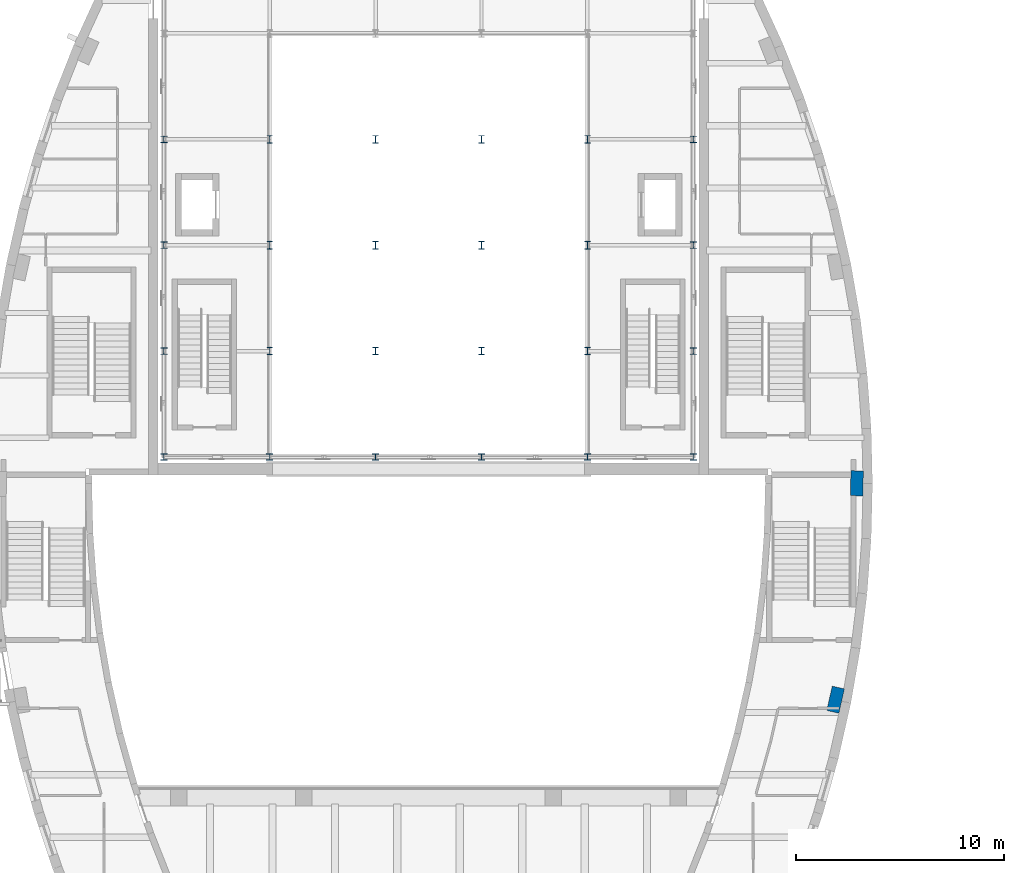
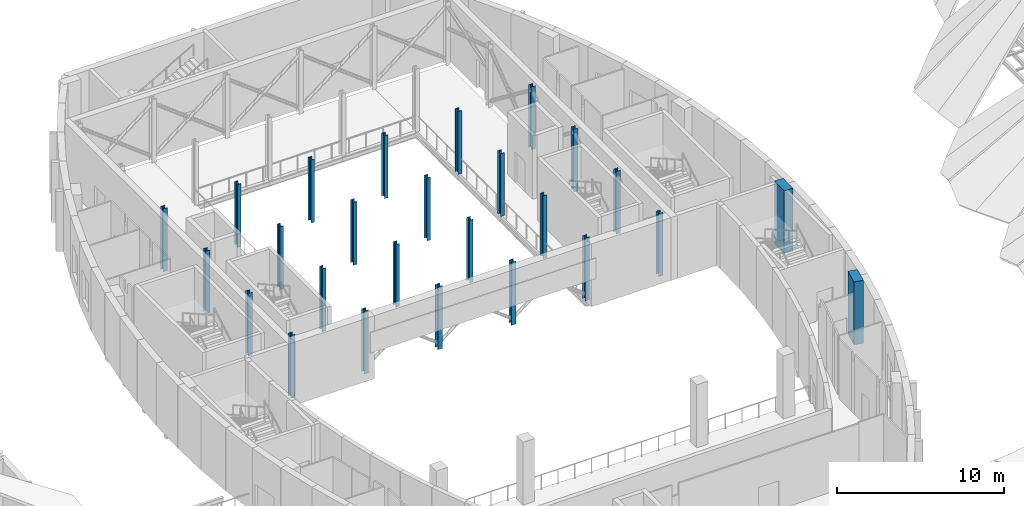
# One storey, part 2 of 56: 26 columns.
"""IFC4 building model written with IfcOpenShell, lengths in metres."""

import ifcopenshell
import ifcopenshell.guid

model = None  # the IFC model being written
_history = None  # IfcOwnerHistory: only IFC2X3 demands one
_inside = {}  # id of a spatial element -> (the spatial element, [elements in it])
_under = {}  # id of a project, library or spatial element -> (it, [spatial elements below it])
_declared = {}  # id of a project -> (the project, [libraries it declares])
_typed = {}  # id of a type object -> (the type object, [elements of that type])
_made_of = {}  # id of a material, layer set ... -> (it, [elements and type objects made of it])


def new_model(schema):
    """Start an empty IFC model of exactly this schema.

    Asked for "IFC4X3", IfcOpenShell would pick the latest addendum, in which some entities
    have other attributes; the version numbers below select the first issue.
    IFC2X3 requires an IfcOwnerHistory on every rooted entity: one is made here for all.
    """
    global model, _history
    if schema == "IFC4X3":
        model = ifcopenshell.file(schema_version=(4, 3, 0, 0))
    else:
        model = ifcopenshell.file(schema=schema)
    _inside.clear()
    _under.clear()
    _declared.clear()
    _typed.clear()
    _made_of.clear()
    _history = None
    if model.schema == "IFC2X3":
        org = make("IfcOrganization", Name="unknown")
        user = make(
            "IfcPersonAndOrganization",
            ThePerson=make("IfcPerson", FamilyName="unknown"),
            TheOrganization=org,
        )
        app = make(
            "IfcApplication",
            ApplicationDeveloper=org,
            Version="unknown",
            ApplicationFullName="unknown",
            ApplicationIdentifier="unknown",
        )
        _history = make(
            "IfcOwnerHistory",
            OwningUser=user,
            OwningApplication=app,
            ChangeAction="ADDED",
            CreationDate=0,
        )
    return model


def make(cls, **values):
    """One entity of the class cls with the attributes given. An attribute that is None is left unset."""
    return model.create_entity(
        cls, **{name: value for name, value in values.items() if value is not None}
    )


def rooted(cls, **values):
    """An entity with a GlobalId (a new one), such as an element, a storey or a relation."""
    return make(cls, GlobalId=ifcopenshell.guid.new(), OwnerHistory=_history, **values)


def si_unit(unit_type, name, prefix=None):
    """IfcSIUnit, for example si_unit("LENGTHUNIT", "METRE", prefix="MILLI")."""
    return make("IfcSIUnit", UnitType=unit_type, Prefix=prefix, Name=name)


def assignment(units):
    """IfcUnitAssignment: the units of a project."""
    return None if units is None else make("IfcUnitAssignment", Units=units)


def point(xyz):
    """IfcCartesianPoint."""
    return None if xyz is None else make("IfcCartesianPoint", Coordinates=xyz)


def direction(xyz):
    """IfcDirection."""
    return None if xyz is None else make("IfcDirection", DirectionRatios=xyz)


def frame(location, z_axis=None, x_axis=None):
    """IfcAxis2Placement3D, a coordinate frame: its origin and axes. An axis left out is left unset."""
    return make(
        "IfcAxis2Placement3D",
        Location=point(location),
        Axis=direction(z_axis),
        RefDirection=direction(x_axis),
    )


def frame_2d(location, x_axis=None):
    """IfcAxis2Placement2D, a coordinate frame in the plane: its origin and x axis."""
    return make(
        "IfcAxis2Placement2D", Location=point(location), RefDirection=direction(x_axis)
    )


def origin():
    """The frame at (0, 0, 0) with its axes left unset."""
    return frame((0.0, 0.0, 0.0))


def origin_2d():
    """The frame at (0, 0) in the plane with its x axis left unset."""
    return frame_2d((0.0, 0.0))


def place(relative_to, where):
    """IfcLocalPlacement: puts the frame where relative to a parent placement (None: the world)."""
    return make(
        "IfcLocalPlacement", PlacementRelTo=relative_to, RelativePlacement=where
    )


def context(
    kind, dimensions, precision=None, world=None, true_north=None, identifier=None
):
    """IfcGeometricRepresentationContext, for example the 3D "Model" context."""
    return make(
        "IfcGeometricRepresentationContext",
        ContextIdentifier=identifier,
        ContextType=kind,
        CoordinateSpaceDimension=dimensions,
        Precision=precision,
        WorldCoordinateSystem=world,
        TrueNorth=true_north,
    )


def subcontext(parent, identifier, kind, view, scale=None):
    """IfcGeometricRepresentationSubContext, for example "Body" below "Model"."""
    return make(
        "IfcGeometricRepresentationSubContext",
        ContextIdentifier=identifier,
        ContextType=kind,
        ParentContext=parent,
        TargetScale=scale,
        TargetView=view,
    )


def project(units=None, contexts=None):
    """IfcProject with its units and contexts."""
    return rooted(
        "IfcProject",
        Name="project",
        RepresentationContexts=contexts,
        UnitsInContext=assignment(units),
    )


def spatial(cls, under=None, at=None, **own):
    """A site, building, storey or space (cls), placed at a placement, below another one or the project."""
    s = rooted(cls, ObjectPlacement=at, **own)
    if under is not None:
        _under.setdefault(under.id(), (under, []))[1].append(s)
    return s


def profile(cls, at=None, kind="AREA", **sizes):
    """A parametric profile (cls). Its sizes go by their IFC names, for example OverallWidth=200.0."""
    return make(cls, ProfileType=kind, Position=at, **sizes)


def rectangle(**sizes):
    """IfcRectangleProfileDef."""
    return profile("IfcRectangleProfileDef", **sizes)


def i_section(**sizes):
    """IfcIShapeProfileDef."""
    return profile("IfcIShapeProfileDef", **sizes)


def extrude(swept, where, along, depth):
    """IfcExtrudedAreaSolid: the profile swept, set in the frame where, extruded along a direction by depth."""
    return make(
        "IfcExtrudedAreaSolid",
        SweptArea=swept,
        Position=where,
        ExtrudedDirection=direction(along),
        Depth=depth,
    )


def shape(context_of_items, identifier, shape_type, items):
    """IfcShapeRepresentation: the items that make up one representation, for example the "Body"."""
    return make(
        "IfcShapeRepresentation",
        ContextOfItems=context_of_items,
        RepresentationIdentifier=identifier,
        RepresentationType=shape_type,
        Items=items,
    )


def material(Name=None, Category=None):
    """IfcMaterial."""
    return make("IfcMaterial", Name=Name, Category=Category)


def material_profile(
    of_material, cross_section, Name=None, Category=None, Priority=None
):
    """IfcMaterialProfile: a cross section and its material."""
    return make(
        "IfcMaterialProfile",
        Name=Name,
        Material=of_material,
        Profile=cross_section,
        Priority=Priority,
        Category=Category,
    )


def profile_set(profiles, Name=None, composite=None):
    """IfcMaterialProfileSet."""
    return make(
        "IfcMaterialProfileSet",
        Name=Name,
        MaterialProfiles=profiles,
        CompositeProfile=composite,
    )


def made_of(thing, what):
    """Note that an element or type object is made of a material, layer set ...; save() writes the relation."""
    if what is not None:
        _made_of.setdefault(what.id(), (what, []))[1].append(thing)
    return thing


def type_object(cls, material=None, **own):
    """A type object (cls), such as IfcWallType, which elements share."""
    return made_of(rooted(cls, **own), material)


def element(
    cls,
    number,
    at=None,
    inside=None,
    cuts=None,
    type_object=None,
    material=None,
    context=None,
    identifier="Body",
    shape_type=None,
    held_by="IfcProductDefinitionShape",
    body=None,
    shapes=None,
    **own,
):
    """One element of the class cls, such as IfcWall. Its Tag is "e" and its number.

    at: its placement. inside: the storey or other place that contains it. cuts: it is an
    opening in that element (IfcRelVoidsElement). A single representation is given by context,
    identifier, shape_type and body (its items); several are given by shapes. held_by: the class
    of the entity that holds the representations. save() writes the other relations.
    """
    e = rooted(cls, Tag="e%d" % number, ObjectPlacement=at, **own)
    if body is not None:
        shapes = [shape(context, identifier, shape_type, body)]
    if shapes is not None:
        e.Representation = make(held_by, Representations=shapes)
    if inside is not None:
        _inside.setdefault(inside.id(), (inside, []))[1].append(e)
    if cuts is not None:
        rooted(
            "IfcRelVoidsElement", RelatingBuildingElement=cuts, RelatedOpeningElement=e
        )
    if type_object is not None:
        _typed.setdefault(type_object.id(), (type_object, []))[1].append(e)
    return made_of(e, material)


def aggregate(whole, parts):
    """IfcRelAggregates: a whole, such as a stair, and the parts it consists of."""
    return rooted("IfcRelAggregates", RelatingObject=whole, RelatedObjects=parts)


def save(model, path):
    """Write the relations noted so far, then the file.

    IfcRelAggregates (storeys below a building ...), IfcRelContainedInSpatialStructure (elements
    in a storey), IfcRelDefinesByType, IfcRelAssociatesMaterial and IfcRelDeclares: one each for
    every whole, place, type object, material and project.
    """
    for whole, parts in _under.values():
        aggregate(whole, parts)
    for where, things in _inside.values():
        rooted(
            "IfcRelContainedInSpatialStructure",
            RelatedElements=things,
            RelatingStructure=where,
        )
    for kind, things in _typed.values():
        rooted("IfcRelDefinesByType", RelatedObjects=things, RelatingType=kind)
    for what, things in _made_of.values():
        rooted("IfcRelAssociatesMaterial", RelatedObjects=things, RelatingMaterial=what)
    for by, libraries in _declared.values():
        rooted("IfcRelDeclares", RelatingContext=by, RelatedDefinitions=libraries)
    model.write(path)


model = new_model("IFC4")

# Units and contexts
model_context = context("Model", 3, precision=1e-05, world=origin(), true_north=direction((0.0, 1.0)))
body_context = subcontext(model_context, "Body", "Model", "MODEL_VIEW")
ifc_project = project(units=[si_unit("LENGTHUNIT", "METRE"), si_unit("AREAUNIT", "SQUARE_METRE"), si_unit("VOLUMEUNIT", "CUBIC_METRE"), si_unit("PLANEANGLEUNIT", "RADIAN"), si_unit("MASSUNIT", "GRAM", prefix="KILO")], contexts=[model_context])

# Site, building, storey
site_placement = place(None, origin())
site = spatial("IfcSite", under=ifc_project, at=site_placement, CompositionType="ELEMENT")
building_placement = place(site_placement, origin())
building = spatial("IfcBuilding", under=site, at=building_placement, Name="Tide Square Theatres", CompositionType="ELEMENT")
storey_placement = place(building_placement, frame((0.0, 0.0, 10.199951171875)))
storey = spatial("IfcBuildingStorey", under=building, at=storey_placement, Name="L02", CompositionType="ELEMENT", Elevation=10.199951171875)

# Columns
ifc_material_1 = material(Name="Concrete C40", Category="concrete")
ifc_material_profile_1 = material_profile(ifc_material_1, rectangle(XDim=1.199951171875, YDim=0.60009765625, at=origin_2d()))
ifc_profile_set_1 = profile_set([ifc_material_profile_1], Name="Concrete C40")
column_type_1 = type_object("IfcColumnType", Name="RC pier 1200 x 600", PredefinedType="PILASTER", material=ifc_profile_set_1)
for number, where, z_axis, x_axis, name in (
    (1, (103.56201171875, 44.6123046875, 0.0), (0.0, 0.0, 1.0), (0.220356962886, 0.975419299024, 0.0), "Rib foot pier"),
    (2, (104.585205078125, 55.012939453125, 0.0), (0.0, 0.0, 1.0), (0.024571762574, 0.999698068661, 0.0), "Rib foot pier"),
):
    element("IfcColumn", number, at=place(storey_placement, frame(where, z_axis=z_axis, x_axis=x_axis)), inside=storey, type_object=column_type_1, Name=name, PredefinedType="PILASTER", context=body_context, shape_type="SweptSolid", body=[
        extrude(rectangle(XDim=1.199951171875, YDim=0.60009765625, at=origin_2d()), origin(), (0.0, 0.0, 1.0), 4.60009765625),
    ])
ifc_material_2 = material(Name="Steel ASTM A572 Grade 50", Category="steel")
ifc_material_profile_2 = material_profile(ifc_material_2, i_section(OverallWidth=0.31201171875, OverallDepth=0.31201171875, WebThickness=0.017333984375, FlangeThickness=0.017333984375, FilletRadius=0.01611328125, at=origin_2d()))
ifc_profile_set_2 = profile_set([ifc_material_profile_2], Name="Steel ASTM A572 Grade 50")
column_type_2 = type_object("IfcColumnType", Name="Steel column HP 310 x 125.0", PredefinedType="COLUMN", material=ifc_profile_set_2)
for number, where, z_axis, x_axis, name in (
    (3, (71.27587890625, 56.27587890625, 0.0), (0.0, 0.0, 1.0), (1.0, 0.0, 0.0), "Fly tower column"),
    (4, (71.27587890625, 61.365478515625, 0.0), (0.0, 0.0, 1.0), (1.0, 0.0, 0.0), "Fly tower column"),
    (5, (71.27587890625, 66.455078125, 0.0), (0.0, 0.0, 1.0), (1.0, 0.0, 0.0), "Fly tower column"),
    (6, (71.27587890625, 71.544921875, 0.0), (0.0, 0.0, 1.0), (1.0, 0.0, 0.0), "Fly tower column"),
    (7, (76.365478515625, 56.27587890625, 0.0), (0.0, 0.0, 1.0), (1.0, 0.0, 0.0), "Fly tower column"),
    (8, (81.455078125, 56.27587890625, 0.0), (0.0, 0.0, 1.0), (1.0, 0.0, 0.0), "Fly tower column"),
    (9, (86.544921875, 56.27587890625, 0.0), (0.0, 0.0, 1.0), (1.0, 0.0, 0.0), "Fly tower column"),
    (10, (91.634521484375, 56.27587890625, 0.0), (0.0, 0.0, 1.0), (1.0, 0.0, 0.0), "Fly tower column"),
    (11, (96.72412109375, 56.27587890625, 0.0), (0.0, 0.0, 1.0), (1.0, 0.0, 0.0), "Fly tower column"),
    (12, (96.72412109375, 61.365478515625, 0.0), (0.0, 0.0, 1.0), (1.0, 0.0, 0.0), "Fly tower column"),
    (13, (96.72412109375, 66.455078125, 0.0), (0.0, 0.0, 1.0), (1.0, 0.0, 0.0), "Fly tower column"),
    (14, (96.72412109375, 71.544921875, 0.0), (0.0, 0.0, 1.0), (1.0, 0.0, 0.0), "Fly tower column"),
):
    element("IfcColumn", number, at=place(storey_placement, frame(where, z_axis=z_axis, x_axis=x_axis)), inside=storey, type_object=column_type_2, Name=name, PredefinedType="COLUMN", context=body_context, shape_type="SweptSolid", body=[
        extrude(i_section(OverallWidth=0.31201171875, OverallDepth=0.31201171875, WebThickness=0.017333984375, FlangeThickness=0.017333984375, FilletRadius=0.01611328125, at=origin_2d()), origin(), (0.0, 0.0, 1.0), 4.60009765625),
    ])
ifc_material_3 = material(Name="Steel ASTM A572 Grade 50", Category="steel")
ifc_material_profile_3 = material_profile(ifc_material_3, i_section(OverallWidth=0.257080078125, OverallDepth=0.363037109375, WebThickness=0.012939453125, FlangeThickness=0.021728515625, FilletRadius=0.01611328125, at=origin_2d()))
ifc_profile_set_3 = profile_set([ifc_material_profile_3], Name="Steel ASTM A572 Grade 50")
column_type_3 = type_object("IfcColumnType", Name="Steel column W 360 x 122.0", PredefinedType="COLUMN", material=ifc_profile_set_3)
for number, where, z_axis, x_axis, name in (
    (15, (76.365478515625, 61.365478515625, 0.0), (0.0, 0.0, 1.0), (1.0, 0.0, 0.0), "Fly tower column"),
    (16, (76.365478515625, 66.455078125, 0.0), (0.0, 0.0, 1.0), (1.0, 0.0, 0.0), "Fly tower column"),
    (17, (76.365478515625, 71.544921875, 0.0), (0.0, 0.0, 1.0), (1.0, 0.0, 0.0), "Fly tower column"),
    (18, (81.455078125, 61.365478515625, 0.0), (0.0, 0.0, 1.0), (1.0, 0.0, 0.0), "Fly tower column"),
    (19, (81.455078125, 66.455078125, 0.0), (0.0, 0.0, 1.0), (1.0, 0.0, 0.0), "Fly tower column"),
    (20, (81.455078125, 71.544921875, 0.0), (0.0, 0.0, 1.0), (1.0, 0.0, 0.0), "Fly tower column"),
    (21, (86.544921875, 61.365478515625, 0.0), (0.0, 0.0, 1.0), (1.0, 0.0, 0.0), "Fly tower column"),
    (22, (86.544921875, 66.455078125, 0.0), (0.0, 0.0, 1.0), (1.0, 0.0, 0.0), "Fly tower column"),
    (23, (86.544921875, 71.544921875, 0.0), (0.0, 0.0, 1.0), (1.0, 0.0, 0.0), "Fly tower column"),
    (24, (91.634521484375, 61.365478515625, 0.0), (0.0, 0.0, 1.0), (1.0, 0.0, 0.0), "Fly tower column"),
    (25, (91.634521484375, 66.455078125, 0.0), (0.0, 0.0, 1.0), (1.0, 0.0, 0.0), "Fly tower column"),
    (26, (91.634521484375, 71.544921875, 0.0), (0.0, 0.0, 1.0), (1.0, 0.0, 0.0), "Fly tower column"),
):
    element("IfcColumn", number, at=place(storey_placement, frame(where, z_axis=z_axis, x_axis=x_axis)), inside=storey, type_object=column_type_3, Name=name, PredefinedType="COLUMN", context=body_context, shape_type="SweptSolid", body=[
        extrude(i_section(OverallWidth=0.257080078125, OverallDepth=0.363037109375, WebThickness=0.012939453125, FlangeThickness=0.021728515625, FilletRadius=0.01611328125, at=origin_2d()), origin(), (0.0, 0.0, 1.0), 4.60009765625),
    ])

save(model, "model.ifc")
